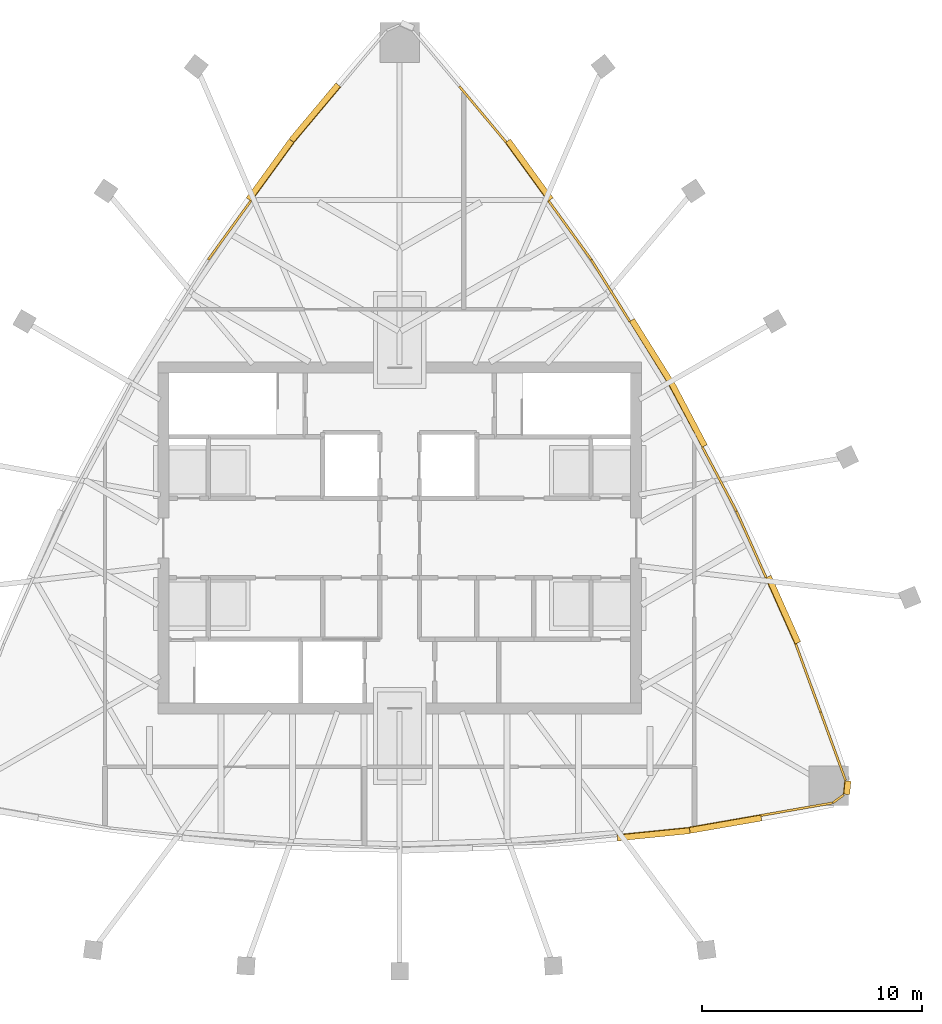
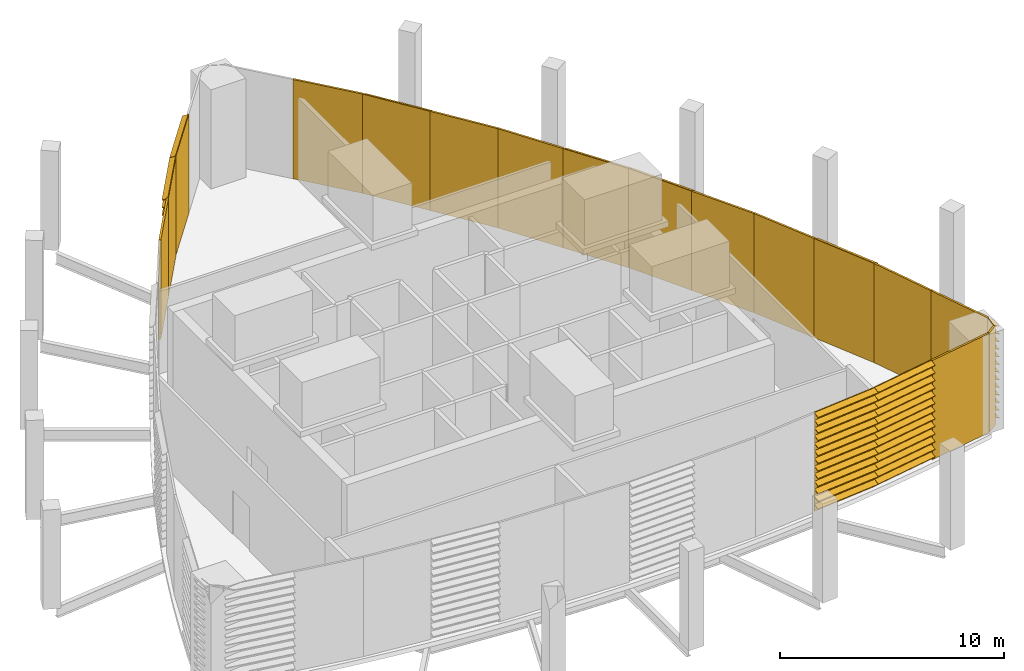
# One storey, part 6 of 8: 10 coverings, 9 shading devices.
"""IFC4 building model written with IfcOpenShell, lengths in metres."""

from ifc_helpers import new_model, si_unit, direction, frame, origin, place, context, subcontext, project, spatial, polyline, outline, extrude, material, layer, layer_set, type_object, element, save


model = new_model("IFC4")

# Units and contexts
model_context = context("Model", 3, precision=1e-05, world=origin(), true_north=direction((0.0, 1.0)))
body_context = subcontext(model_context, "Body", "Model", "MODEL_VIEW")
ifc_project = project(units=[si_unit("LENGTHUNIT", "METRE"), si_unit("AREAUNIT", "SQUARE_METRE"), si_unit("VOLUMEUNIT", "CUBIC_METRE"), si_unit("PLANEANGLEUNIT", "RADIAN"), si_unit("MASSUNIT", "GRAM", prefix="KILO")], contexts=[model_context])

# Site, building, storey
site_placement = place(None, origin())
site = spatial("IfcSite", under=ifc_project, at=site_placement, CompositionType="ELEMENT")
building_placement = place(site_placement, origin())
building = spatial("IfcBuilding", under=site, at=building_placement, Name="Sierra Prisma Convention Tower", CompositionType="ELEMENT")
storey_placement = place(building_placement, frame((0.0, 0.0, 355.60009765625)))
storey = spatial("IfcBuildingStorey", under=building, at=storey_placement, Name="L79", CompositionType="ELEMENT", Elevation=355.60009765625)

# Coverings
ifc_material_1 = material(Name="Aluminium composite bronze anodised", Category="aluminium")
ifc_layer = layer(ifc_material_1, 0.10009765625)
ifc_layer_set = layer_set([ifc_layer], Name="Bronze cladding panel")
covering_type = type_object("IfcCoveringType", Name="Bronze cladding panel", PredefinedType="CLADDING", material=ifc_layer_set)
covering_1_placement = place(storey_placement, origin())
element("IfcCovering", 1, at=covering_1_placement, inside=storey, type_object=covering_type, Name="Crown cladding L79.12", PredefinedType="CLADDING", context=body_context, shape_type="SweptSolid", body=[
    extrude(outline(polyline([(16.41650390625, -12.568603515625), (19.66845703125, -12.000244140625), (19.685546875, -12.0986328125), (16.433837890625, -12.667236328125), (16.41650390625, -12.568603515625)])), origin(), (0.0, 0.0, 1.0), 5.39990234375),
])
covering_2_placement = place(storey_placement, origin())
element("IfcCovering", 2, at=covering_2_placement, inside=storey, type_object=covering_type, Name="Crown cladding L79.13", PredefinedType="CLADDING", context=body_context, shape_type="SweptSolid", body=[
    extrude(outline(polyline([(19.66845703125, -12.000244140625), (20.163330078125, -11.641357421875), (20.221923828125, -11.72216796875), (19.72705078125, -12.0810546875), (19.66845703125, -12.000244140625)])), origin(), (0.0, 0.0, 1.0), 5.39990234375),
])
covering_3_placement = place(storey_placement, origin())
element("IfcCovering", 3, at=covering_3_placement, inside=storey, type_object=covering_type, Name="Crown cladding L79.15", PredefinedType="CLADDING", context=body_context, shape_type="SweptSolid", body=[
    extrude(outline(polyline([(20.2265625, -11.033203125), (19.093017578125, -7.932861328125), (19.18701171875, -7.8984375), (20.320556640625, -10.9990234375), (20.2265625, -11.033203125)])), origin(), (0.0, 0.0, 1.0), 5.39990234375),
])
covering_4_placement = place(storey_placement, origin())
element("IfcCovering", 4, at=covering_4_placement, inside=storey, type_object=covering_type, Name="Crown cladding L79.16", PredefinedType="CLADDING", context=body_context, shape_type="SweptSolid", body=[
    extrude(outline(polyline([(19.093017578125, -7.932861328125), (17.95947265625, -4.83251953125), (18.053466796875, -4.798095703125), (19.18701171875, -7.8984375), (19.093017578125, -7.932861328125)])), origin(), (0.0, 0.0, 1.0), 5.39990234375),
])
covering_5_placement = place(storey_placement, origin())
element("IfcCovering", 5, at=covering_5_placement, inside=storey, type_object=covering_type, Name="Crown cladding L79.18", PredefinedType="CLADDING", context=body_context, shape_type="SweptSolid", body=[
    extrude(outline(polyline([(16.6142578125, -1.818115234375), (15.268798828125, 1.196533203125), (15.360107421875, 1.2373046875), (16.70556640625, -1.77734375), (16.6142578125, -1.818115234375)])), origin(), (0.0, 0.0, 1.0), 5.39990234375),
])
covering_6_placement = place(storey_placement, origin())
element("IfcCovering", 6, at=covering_6_placement, inside=storey, type_object=covering_type, Name="Crown cladding L79.19", PredefinedType="CLADDING", context=body_context, shape_type="SweptSolid", body=[
    extrude(outline(polyline([(15.268798828125, 1.196533203125), (13.71826171875, 4.11083984375), (13.806640625, 4.15771484375), (15.357177734375, 1.243408203125), (15.268798828125, 1.196533203125)])), origin(), (0.0, 0.0, 1.0), 5.39990234375),
])
covering_7_placement = place(storey_placement, origin())
element("IfcCovering", 7, at=covering_7_placement, inside=storey, type_object=covering_type, Name="Crown cladding L79.22", PredefinedType="CLADDING", context=body_context, shape_type="SweptSolid", body=[
    extrude(outline(polyline([(10.419189453125, 9.824951171875), (8.670654296875, 12.625), (8.75537109375, 12.677978515625), (10.50390625, 9.8779296875), (10.419189453125, 9.824951171875)])), origin(), (0.0, 0.0, 1.0), 5.39990234375),
])
covering_8_placement = place(storey_placement, origin())
element("IfcCovering", 8, at=covering_8_placement, inside=storey, type_object=covering_type, Name="Crown cladding L79.23", PredefinedType="CLADDING", context=body_context, shape_type="SweptSolid", body=[
    extrude(outline(polyline([(8.670654296875, 12.625), (6.732666015625, 15.29736328125), (6.813720703125, 15.35595703125), (8.751708984375, 12.68359375), (8.670654296875, 12.625)])), origin(), (0.0, 0.0, 1.0), 5.39990234375),
])
covering_9_placement = place(storey_placement, origin())
element("IfcCovering", 9, at=covering_9_placement, inside=storey, type_object=covering_type, Name="Crown cladding L79.25", PredefinedType="CLADDING", context=body_context, shape_type="SweptSolid", body=[
    extrude(outline(polyline([(4.794677734375, 17.9697265625), (2.676513671875, 20.50146484375), (2.753173828125, 20.565673828125), (4.871337890625, 18.033935546875), (4.794677734375, 17.9697265625)])), origin(), (0.0, 0.0, 1.0), 5.39990234375),
])
covering_10_placement = place(storey_placement, origin())
element("IfcCovering", 10, at=covering_10_placement, inside=storey, type_object=covering_type, Name="Crown cladding L79.32", PredefinedType="CLADDING", context=body_context, shape_type="SweptSolid", body=[
    extrude(outline(polyline([(-6.732666015625, 15.29736328125), (-8.670654296875, 12.625), (-8.751708984375, 12.68359375), (-6.813720703125, 15.35595703125), (-6.732666015625, 15.29736328125)])), origin(), (0.0, 0.0, 1.0), 5.39990234375),
])

# Shading devices
ifc_material_2 = material(Name="Aluminium 6063-T6 bronze anodised", Category="aluminium")
shading_device_type = type_object("IfcShadingDeviceType", Name="Louvre bay bronze", PredefinedType="USERDEFINED", material=ifc_material_2)
shading_device_1_placement = place(storey_placement, frame((9.881591796875, -13.479248046875, 0.0), z_axis=(-0.99500386051, -0.09983645411, 0.0), x_axis=(0.0, 0.0, 1.0)))
element("IfcShadingDevice", 11, at=shading_device_1_placement, inside=storey, type_object=shading_device_type, Name="Crown louvre L79.10", ObjectType="LOUVRE", PredefinedType="USERDEFINED", context=body_context, shape_type="SweptSolid", body=[
    extrude(outline(polyline([(0.0, 0.0), (5.39990234375, 0.0), (5.39990234375, -0.03017175593069044), (5.3798828125, -0.03017175593069044), (5.260009765625, -0.299944811331974), (5.22998046875, -0.299944811331974), (5.349853515625, -0.03017175593069044), (4.984619140625, -0.03017175593069044), (4.964599609375, -0.03017175593069044), (4.844482421875, -0.299944811331974), (4.814453125, -0.299944811331974), (4.9345703125, -0.03017175593069044), (4.569091796875, -0.03017175593069044), (4.549072265625, -0.03017175593069044), (4.42919921875, -0.299944811331974), (4.399169921875, -0.299944811331974), (4.51904296875, -0.03017175593069044), (4.15380859375, -0.03017175593069044), (4.1337890625, -0.03017175593069044), (4.013671875, -0.299944811331974), (3.983642578125, -0.299944811331974), (4.103759765625, -0.03017175593069044), (3.73828125, -0.03017175593069044), (3.71826171875, -0.03017175593069044), (3.598388671875, -0.299944811331974), (3.568359375, -0.299944811331974), (3.6884765625, -0.03017175593069044), (3.322998046875, -0.03017175593069044), (3.302978515625, -0.03017175593069044), (3.182861328125, -0.299944811331974), (3.153076171875, -0.299944811331974), (3.27294921875, -0.03017175593069044), (2.90771484375, -0.03017175593069044), (2.8876953125, -0.03017175593069044), (2.767578125, -0.299944811331974), (2.737548828125, -0.299944811331974), (2.857666015625, -0.03017175593069044), (2.4921875, -0.03017175593069044), (2.47216796875, -0.03017175593069044), (2.352294921875, -0.299944811331974), (2.322265625, -0.299944811331974), (2.442138671875, -0.03017175593069044), (2.076904296875, -0.03017175593069044), (2.056884765625, -0.03017175593069044), (1.936767578125, -0.299944811331974), (1.90673828125, -0.299944811331974), (2.02685546875, -0.03017175593069044), (1.661376953125, -0.03017175593069044), (1.641357421875, -0.03017175593069044), (1.521484375, -0.299944811331974), (1.491455078125, -0.299944811331974), (1.611328125, -0.03017175593069044), (1.24609375, -0.03017175593069044), (1.22607421875, -0.03017175593069044), (1.10595703125, -0.299944811331974), (1.076171875, -0.299944811331974), (1.196044921875, -0.03017175593069044), (0.83056640625, -0.03017175593069044), (0.810791015625, -0.03017175593069044), (0.690673828125, -0.299944811331974), (0.66064453125, -0.299944811331974), (0.78076171875, -0.03017175593069044), (0.415283203125, -0.03017175593069044), (0.395263671875, -0.03017175593069044), (0.275390625, -0.299944811331974), (0.245361328125, -0.299944811331974), (0.365234375, -0.03017175593069044), (0.0, -0.03017175593069044), (0.0, 0.0)])), origin(), (0.0, 0.0, -1.0), 3.301025390625),
])
shading_device_2_placement = place(storey_placement, frame((13.164794921875, -13.13720703125, 0.0), z_axis=(-0.985151128495, -0.171689411514, 0.0), x_axis=(0.0, 0.0, 1.0)))
element("IfcShadingDevice", 12, at=shading_device_2_placement, inside=storey, type_object=shading_device_type, Name="Crown louvre L79.11", ObjectType="LOUVRE", PredefinedType="USERDEFINED", context=body_context, shape_type="SweptSolid", body=[
    extrude(outline(polyline([(0.0, 0.0), (5.39990234375, 0.0), (5.39990234375, -0.029982608444733373), (5.3798828125, -0.029982608444733373), (5.260009765625, -0.29990991716779936), (5.22998046875, -0.29990991716779936), (5.349853515625, -0.029982608444733373), (4.984619140625, -0.029982608444733373), (4.964599609375, -0.029982608444733373), (4.844482421875, -0.29990991716779936), (4.814453125, -0.29990991716779936), (4.9345703125, -0.029982608444733373), (4.569091796875, -0.029982608444733373), (4.549072265625, -0.029982608444733373), (4.42919921875, -0.29990991716779936), (4.399169921875, -0.29990991716779936), (4.51904296875, -0.029982608444733373), (4.15380859375, -0.029982608444733373), (4.1337890625, -0.029982608444733373), (4.013671875, -0.29990991716779936), (3.983642578125, -0.29990991716779936), (4.103759765625, -0.029982608444733373), (3.73828125, -0.029982608444733373), (3.71826171875, -0.029982608444733373), (3.598388671875, -0.29990991716779936), (3.568359375, -0.29990991716779936), (3.6884765625, -0.029982608444733373), (3.322998046875, -0.029982608444733373), (3.302978515625, -0.029982608444733373), (3.182861328125, -0.29990991716779936), (3.153076171875, -0.29990991716779936), (3.27294921875, -0.029982608444733373), (2.90771484375, -0.029982608444733373), (2.8876953125, -0.029982608444733373), (2.767578125, -0.29990991716779936), (2.737548828125, -0.29990991716779936), (2.857666015625, -0.029982608444733373), (2.4921875, -0.029982608444733373), (2.47216796875, -0.029982608444733373), (2.352294921875, -0.29990991716779936), (2.322265625, -0.29990991716779936), (2.442138671875, -0.029982608444733373), (2.076904296875, -0.029982608444733373), (2.056884765625, -0.029982608444733373), (1.936767578125, -0.29990991716779936), (1.90673828125, -0.29990991716779936), (2.02685546875, -0.029982608444733373), (1.661376953125, -0.029982608444733373), (1.641357421875, -0.029982608444733373), (1.521484375, -0.29990991716779936), (1.491455078125, -0.29990991716779936), (1.611328125, -0.029982608444733373), (1.24609375, -0.029982608444733373), (1.22607421875, -0.029982608444733373), (1.10595703125, -0.29990991716779936), (1.076171875, -0.29990991716779936), (1.196044921875, -0.029982608444733373), (0.83056640625, -0.029982608444733373), (0.810791015625, -0.029982608444733373), (0.690673828125, -0.29990991716779936), (0.66064453125, -0.29990991716779936), (0.78076171875, -0.029982608444733373), (0.415283203125, -0.029982608444733373), (0.395263671875, -0.029982608444733373), (0.275390625, -0.29990991716779936), (0.245361328125, -0.29990991716779936), (0.365234375, -0.029982608444733373), (0.0, -0.029982608444733373), (0.0, 0.0)])), origin(), (0.0, 0.0, -1.0), 3.301025390625),
])
shading_device_3_placement = place(storey_placement, frame((20.163330078125, -11.641357421875, 0.0), z_axis=(-0.100291637064, -0.994958083306, 0.0), x_axis=(0.0, 0.0, 1.0)))
element("IfcShadingDevice", 13, at=shading_device_3_placement, inside=storey, type_object=shading_device_type, Name="Crown louvre L79.14", ObjectType="LOUVRE", PredefinedType="USERDEFINED", context=body_context, shape_type="SweptSolid", body=[
    extrude(outline(polyline([(0.0, 0.0), (5.39990234375, 0.0), (5.39990234375, -0.029928805128916797), (5.3798828125, -0.029928805128916797), (5.260009765625, -0.29994526750646766), (5.22998046875, -0.29994526750646766), (5.349853515625, -0.029928805128916797), (4.984619140625, -0.029928805128916797), (4.964599609375, -0.029928805128916797), (4.844482421875, -0.29994526750646766), (4.814453125, -0.29994526750646766), (4.9345703125, -0.029928805128916797), (4.569091796875, -0.029928805128916797), (4.549072265625, -0.029928805128916797), (4.42919921875, -0.29994526750646766), (4.399169921875, -0.29994526750646766), (4.51904296875, -0.029928805128916797), (4.15380859375, -0.029928805128916797), (4.1337890625, -0.029928805128916797), (4.013671875, -0.29994526750646766), (3.983642578125, -0.29994526750646766), (4.103759765625, -0.029928805128916797), (3.73828125, -0.029928805128916797), (3.71826171875, -0.029928805128916797), (3.598388671875, -0.29994526750646766), (3.568359375, -0.29994526750646766), (3.6884765625, -0.029928805128916797), (3.322998046875, -0.029928805128916797), (3.302978515625, -0.029928805128916797), (3.182861328125, -0.29994526750646766), (3.153076171875, -0.29994526750646766), (3.27294921875, -0.029928805128916797), (2.90771484375, -0.029928805128916797), (2.8876953125, -0.029928805128916797), (2.767578125, -0.29994526750646766), (2.737548828125, -0.29994526750646766), (2.857666015625, -0.029928805128916797), (2.4921875, -0.029928805128916797), (2.47216796875, -0.029928805128916797), (2.352294921875, -0.29994526750646766), (2.322265625, -0.29994526750646766), (2.442138671875, -0.029928805128916797), (2.076904296875, -0.029928805128916797), (2.056884765625, -0.029928805128916797), (1.936767578125, -0.29994526750646766), (1.90673828125, -0.29994526750646766), (2.02685546875, -0.029928805128916797), (1.661376953125, -0.029928805128916797), (1.641357421875, -0.029928805128916797), (1.521484375, -0.29994526750646766), (1.491455078125, -0.29994526750646766), (1.611328125, -0.029928805128916797), (1.24609375, -0.029928805128916797), (1.22607421875, -0.029928805128916797), (1.10595703125, -0.29994526750646766), (1.076171875, -0.29994526750646766), (1.196044921875, -0.029928805128916797), (0.83056640625, -0.029928805128916797), (0.810791015625, -0.029928805128916797), (0.690673828125, -0.29994526750646766), (0.66064453125, -0.29994526750646766), (0.78076171875, -0.029928805128916797), (0.415283203125, -0.029928805128916797), (0.395263671875, -0.029928805128916797), (0.275390625, -0.29994526750646766), (0.245361328125, -0.29994526750646766), (0.365234375, -0.029928805128916797), (0.0, -0.029928805128916797), (0.0, 0.0)])), origin(), (0.0, 0.0, -1.0), 0.611328125),
])
shading_device_4_placement = place(storey_placement, frame((17.95947265625, -4.83251953125, 0.0), z_axis=(0.407682697482, -0.913123659848, 0.0), x_axis=(0.0, 0.0, 1.0)))
element("IfcShadingDevice", 14, at=shading_device_4_placement, inside=storey, type_object=shading_device_type, Name="Crown louvre L79.17", ObjectType="LOUVRE", PredefinedType="USERDEFINED", context=body_context, shape_type="SweptSolid", body=[
    extrude(outline(polyline([(0.0, 0.0), (5.39990234375, 0.0), (5.39990234375, -0.029944820502209746), (5.3798828125, -0.029944820502209746), (5.260009765625, -0.29999359809269743), (5.22998046875, -0.29999359809269743), (5.349853515625, -0.029944820502209746), (4.984619140625, -0.029944820502209746), (4.964599609375, -0.029944820502209746), (4.844482421875, -0.29999359809269743), (4.814453125, -0.29999359809269743), (4.9345703125, -0.029944820502209746), (4.569091796875, -0.029944820502209746), (4.549072265625, -0.029944820502209746), (4.42919921875, -0.29999359809269743), (4.399169921875, -0.29999359809269743), (4.51904296875, -0.029944820502209746), (4.15380859375, -0.029944820502209746), (4.1337890625, -0.029944820502209746), (4.013671875, -0.29999359809269743), (3.983642578125, -0.29999359809269743), (4.103759765625, -0.029944820502209746), (3.73828125, -0.029944820502209746), (3.71826171875, -0.029944820502209746), (3.598388671875, -0.29999359809269743), (3.568359375, -0.29999359809269743), (3.6884765625, -0.029944820502209746), (3.322998046875, -0.029944820502209746), (3.302978515625, -0.029944820502209746), (3.182861328125, -0.29999359809269743), (3.153076171875, -0.29999359809269743), (3.27294921875, -0.029944820502209746), (2.90771484375, -0.029944820502209746), (2.8876953125, -0.029944820502209746), (2.767578125, -0.29999359809269743), (2.737548828125, -0.29999359809269743), (2.857666015625, -0.029944820502209746), (2.4921875, -0.029944820502209746), (2.47216796875, -0.029944820502209746), (2.352294921875, -0.29999359809269743), (2.322265625, -0.29999359809269743), (2.442138671875, -0.029944820502209746), (2.076904296875, -0.029944820502209746), (2.056884765625, -0.029944820502209746), (1.936767578125, -0.29999359809269743), (1.90673828125, -0.29999359809269743), (2.02685546875, -0.029944820502209746), (1.661376953125, -0.029944820502209746), (1.641357421875, -0.029944820502209746), (1.521484375, -0.29999359809269743), (1.491455078125, -0.29999359809269743), (1.611328125, -0.029944820502209746), (1.24609375, -0.029944820502209746), (1.22607421875, -0.029944820502209746), (1.10595703125, -0.29999359809269743), (1.076171875, -0.29999359809269743), (1.196044921875, -0.029944820502209746), (0.83056640625, -0.029944820502209746), (0.810791015625, -0.029944820502209746), (0.690673828125, -0.29999359809269743), (0.66064453125, -0.29999359809269743), (0.78076171875, -0.029944820502209746), (0.415283203125, -0.029944820502209746), (0.395263671875, -0.029944820502209746), (0.275390625, -0.29999359809269743), (0.245361328125, -0.29999359809269743), (0.365234375, -0.029944820502209746), (0.0, -0.029944820502209746), (0.0, 0.0)])), origin(), (0.0, 0.0, -1.0), 3.301025390625),
])
shading_device_5_placement = place(storey_placement, frame((13.71826171875, 4.11083984375, 0.0), z_axis=(0.46608508346, -0.884739902444, 0.0), x_axis=(0.0, 0.0, 1.0)))
element("IfcShadingDevice", 15, at=shading_device_5_placement, inside=storey, type_object=shading_device_type, Name="Crown louvre L79.20", ObjectType="LOUVRE", PredefinedType="USERDEFINED", context=body_context, shape_type="SweptSolid", body=[
    extrude(outline(polyline([(0.0, 0.0), (5.39990234375, 0.0), (5.39990234375, -0.03003015115321853), (5.3798828125, -0.03003015115321853), (5.260009765625, -0.30001803889351386), (5.22998046875, -0.30001803889351386), (5.349853515625, -0.03003015115321853), (4.984619140625, -0.03003015115321853), (4.964599609375, -0.03003015115321853), (4.844482421875, -0.30001803889351386), (4.814453125, -0.30001803889351386), (4.9345703125, -0.03003015115321853), (4.569091796875, -0.03003015115321853), (4.549072265625, -0.03003015115321853), (4.42919921875, -0.30001803889351386), (4.399169921875, -0.30001803889351386), (4.51904296875, -0.03003015115321853), (4.15380859375, -0.03003015115321853), (4.1337890625, -0.03003015115321853), (4.013671875, -0.30001803889351386), (3.983642578125, -0.30001803889351386), (4.103759765625, -0.03003015115321853), (3.73828125, -0.03003015115321853), (3.71826171875, -0.03003015115321853), (3.598388671875, -0.30001803889351386), (3.568359375, -0.30001803889351386), (3.6884765625, -0.03003015115321853), (3.322998046875, -0.03003015115321853), (3.302978515625, -0.03003015115321853), (3.182861328125, -0.30001803889351386), (3.153076171875, -0.30001803889351386), (3.27294921875, -0.03003015115321853), (2.90771484375, -0.03003015115321853), (2.8876953125, -0.03003015115321853), (2.767578125, -0.30001803889351386), (2.737548828125, -0.30001803889351386), (2.857666015625, -0.03003015115321853), (2.4921875, -0.03003015115321853), (2.47216796875, -0.03003015115321853), (2.352294921875, -0.30001803889351386), (2.322265625, -0.30001803889351386), (2.442138671875, -0.03003015115321853), (2.076904296875, -0.03003015115321853), (2.056884765625, -0.03003015115321853), (1.936767578125, -0.30001803889351386), (1.90673828125, -0.30001803889351386), (2.02685546875, -0.03003015115321853), (1.661376953125, -0.03003015115321853), (1.641357421875, -0.03003015115321853), (1.521484375, -0.30001803889351386), (1.491455078125, -0.30001803889351386), (1.611328125, -0.03003015115321853), (1.24609375, -0.03003015115321853), (1.22607421875, -0.03003015115321853), (1.10595703125, -0.30001803889351386), (1.076171875, -0.30001803889351386), (1.196044921875, -0.03003015115321853), (0.83056640625, -0.03003015115321853), (0.810791015625, -0.03003015115321853), (0.690673828125, -0.30001803889351386), (0.66064453125, -0.30001803889351386), (0.78076171875, -0.03003015115321853), (0.415283203125, -0.03003015115321853), (0.395263671875, -0.03003015115321853), (0.275390625, -0.30001803889351386), (0.245361328125, -0.30001803889351386), (0.365234375, -0.03003015115321853), (0.0, -0.03003015115321853), (0.0, 0.0)])), origin(), (0.0, 0.0, -1.0), 3.301025390625),
])
shading_device_6_placement = place(storey_placement, frame((12.167724609375, 7.02490234375, 0.0), z_axis=(0.529934825169, -0.848038372406, 0.0), x_axis=(0.0, 0.0, 1.0)))
element("IfcShadingDevice", 16, at=shading_device_6_placement, inside=storey, type_object=shading_device_type, Name="Crown louvre L79.21", ObjectType="LOUVRE", PredefinedType="USERDEFINED", context=body_context, shape_type="SweptSolid", body=[
    extrude(outline(polyline([(0.0, 0.0), (5.39990234375, 0.0), (5.39990234375, -0.029941834562064), (5.3798828125, -0.029941834562064), (5.260009765625, -0.29996180547659246), (5.22998046875, -0.29996180547659246), (5.349853515625, -0.029941834562064), (4.984619140625, -0.029941834562064), (4.964599609375, -0.029941834562064), (4.844482421875, -0.29996180547659246), (4.814453125, -0.29996180547659246), (4.9345703125, -0.029941834562064), (4.569091796875, -0.029941834562064), (4.549072265625, -0.029941834562064), (4.42919921875, -0.29996180547659246), (4.399169921875, -0.29996180547659246), (4.51904296875, -0.029941834562064), (4.15380859375, -0.029941834562064), (4.1337890625, -0.029941834562064), (4.013671875, -0.29996180547659246), (3.983642578125, -0.29996180547659246), (4.103759765625, -0.029941834562064), (3.73828125, -0.029941834562064), (3.71826171875, -0.029941834562064), (3.598388671875, -0.29996180547659246), (3.568359375, -0.29996180547659246), (3.6884765625, -0.029941834562064), (3.322998046875, -0.029941834562064), (3.302978515625, -0.029941834562064), (3.182861328125, -0.29996180547659246), (3.153076171875, -0.29996180547659246), (3.27294921875, -0.029941834562064), (2.90771484375, -0.029941834562064), (2.8876953125, -0.029941834562064), (2.767578125, -0.29996180547659246), (2.737548828125, -0.29996180547659246), (2.857666015625, -0.029941834562064), (2.4921875, -0.029941834562064), (2.47216796875, -0.029941834562064), (2.352294921875, -0.29996180547659246), (2.322265625, -0.29996180547659246), (2.442138671875, -0.029941834562064), (2.076904296875, -0.029941834562064), (2.056884765625, -0.029941834562064), (1.936767578125, -0.29996180547659246), (1.90673828125, -0.29996180547659246), (2.02685546875, -0.029941834562064), (1.661376953125, -0.029941834562064), (1.641357421875, -0.029941834562064), (1.521484375, -0.29996180547659246), (1.491455078125, -0.29996180547659246), (1.611328125, -0.029941834562064), (1.24609375, -0.029941834562064), (1.22607421875, -0.029941834562064), (1.10595703125, -0.29996180547659246), (1.076171875, -0.29996180547659246), (1.196044921875, -0.029941834562064), (0.83056640625, -0.029941834562064), (0.810791015625, -0.029941834562064), (0.690673828125, -0.29996180547659246), (0.66064453125, -0.29996180547659246), (0.78076171875, -0.029941834562064), (0.415283203125, -0.029941834562064), (0.395263671875, -0.029941834562064), (0.275390625, -0.29996180547659246), (0.245361328125, -0.29996180547659246), (0.365234375, -0.029941834562064), (0.0, -0.029941834562064), (0.0, 0.0)])), origin(), (0.0, 0.0, -1.0), 3.301025390625),
])
shading_device_7_placement = place(storey_placement, frame((6.732666015625, 15.29736328125, 0.0), z_axis=(0.587555963183, -0.809183533031, 0.0), x_axis=(0.0, 0.0, 1.0)))
element("IfcShadingDevice", 17, at=shading_device_7_placement, inside=storey, type_object=shading_device_type, Name="Crown louvre L79.24", ObjectType="LOUVRE", PredefinedType="USERDEFINED", context=body_context, shape_type="SweptSolid", body=[
    extrude(outline(polyline([(0.0, 0.0), (5.39990234375, 0.0), (5.39990234375, -0.029886034941215424), (5.3798828125, -0.029886034941215424), (5.260009765625, -0.29999156855969766), (5.22998046875, -0.29999156855969766), (5.349853515625, -0.029886034941215424), (4.984619140625, -0.029886034941215424), (4.964599609375, -0.029886034941215424), (4.844482421875, -0.29999156855969766), (4.814453125, -0.29999156855969766), (4.9345703125, -0.029886034941215424), (4.569091796875, -0.029886034941215424), (4.549072265625, -0.029886034941215424), (4.42919921875, -0.29999156855969766), (4.399169921875, -0.29999156855969766), (4.51904296875, -0.029886034941215424), (4.15380859375, -0.029886034941215424), (4.1337890625, -0.029886034941215424), (4.013671875, -0.29999156855969766), (3.983642578125, -0.29999156855969766), (4.103759765625, -0.029886034941215424), (3.73828125, -0.029886034941215424), (3.71826171875, -0.029886034941215424), (3.598388671875, -0.29999156855969766), (3.568359375, -0.29999156855969766), (3.6884765625, -0.029886034941215424), (3.322998046875, -0.029886034941215424), (3.302978515625, -0.029886034941215424), (3.182861328125, -0.29999156855969766), (3.153076171875, -0.29999156855969766), (3.27294921875, -0.029886034941215424), (2.90771484375, -0.029886034941215424), (2.8876953125, -0.029886034941215424), (2.767578125, -0.29999156855969766), (2.737548828125, -0.29999156855969766), (2.857666015625, -0.029886034941215424), (2.4921875, -0.029886034941215424), (2.47216796875, -0.029886034941215424), (2.352294921875, -0.29999156855969766), (2.322265625, -0.29999156855969766), (2.442138671875, -0.029886034941215424), (2.076904296875, -0.029886034941215424), (2.056884765625, -0.029886034941215424), (1.936767578125, -0.29999156855969766), (1.90673828125, -0.29999156855969766), (2.02685546875, -0.029886034941215424), (1.661376953125, -0.029886034941215424), (1.641357421875, -0.029886034941215424), (1.521484375, -0.29999156855969766), (1.491455078125, -0.29999156855969766), (1.611328125, -0.029886034941215424), (1.24609375, -0.029886034941215424), (1.22607421875, -0.029886034941215424), (1.10595703125, -0.29999156855969766), (1.076171875, -0.29999156855969766), (1.196044921875, -0.029886034941215424), (0.83056640625, -0.029886034941215424), (0.810791015625, -0.029886034941215424), (0.690673828125, -0.29999156855969766), (0.66064453125, -0.29999156855969766), (0.78076171875, -0.029886034941215424), (0.415283203125, -0.029886034941215424), (0.395263671875, -0.029886034941215424), (0.275390625, -0.29999156855969766), (0.245361328125, -0.29999156855969766), (0.365234375, -0.029886034941215424), (0.0, -0.029886034941215424), (0.0, 0.0)])), origin(), (0.0, 0.0, -1.0), 3.301025390625),
])
shading_device_8_placement = place(storey_placement, frame((-2.676513671875, 20.50146484375, 0.0), z_axis=(0.642822978494, 0.766014763774, 0.0), x_axis=(0.0, 0.0, 1.0)))
element("IfcShadingDevice", 18, at=shading_device_8_placement, inside=storey, type_object=shading_device_type, Name="Crown louvre L79.30", ObjectType="LOUVRE", PredefinedType="USERDEFINED", context=body_context, shape_type="SweptSolid", body=[
    extrude(outline(polyline([(0.0, 0.0), (5.39990234375, 0.0), (5.39990234375, -0.029977637474561628), (5.3798828125, -0.029977637474561628), (5.260009765625, -0.2999934661882565), (5.22998046875, -0.2999934661882565), (5.349853515625, -0.029977637474561628), (4.984619140625, -0.029977637474561628), (4.964599609375, -0.029977637474561628), (4.844482421875, -0.2999934661882565), (4.814453125, -0.2999934661882565), (4.9345703125, -0.029977637474561628), (4.569091796875, -0.029977637474561628), (4.549072265625, -0.029977637474561628), (4.42919921875, -0.2999934661882565), (4.399169921875, -0.2999934661882565), (4.51904296875, -0.029977637474561628), (4.15380859375, -0.029977637474561628), (4.1337890625, -0.029977637474561628), (4.013671875, -0.2999934661882565), (3.983642578125, -0.2999934661882565), (4.103759765625, -0.029977637474561628), (3.73828125, -0.029977637474561628), (3.71826171875, -0.029977637474561628), (3.598388671875, -0.2999934661882565), (3.568359375, -0.2999934661882565), (3.6884765625, -0.029977637474561628), (3.322998046875, -0.029977637474561628), (3.302978515625, -0.029977637474561628), (3.182861328125, -0.2999934661882565), (3.153076171875, -0.2999934661882565), (3.27294921875, -0.029977637474561628), (2.90771484375, -0.029977637474561628), (2.8876953125, -0.029977637474561628), (2.767578125, -0.2999934661882565), (2.737548828125, -0.2999934661882565), (2.857666015625, -0.029977637474561628), (2.4921875, -0.029977637474561628), (2.47216796875, -0.029977637474561628), (2.352294921875, -0.2999934661882565), (2.322265625, -0.2999934661882565), (2.442138671875, -0.029977637474561628), (2.076904296875, -0.029977637474561628), (2.056884765625, -0.029977637474561628), (1.936767578125, -0.2999934661882565), (1.90673828125, -0.2999934661882565), (2.02685546875, -0.029977637474561628), (1.661376953125, -0.029977637474561628), (1.641357421875, -0.029977637474561628), (1.521484375, -0.2999934661882565), (1.491455078125, -0.2999934661882565), (1.611328125, -0.029977637474561628), (1.24609375, -0.029977637474561628), (1.22607421875, -0.029977637474561628), (1.10595703125, -0.2999934661882565), (1.076171875, -0.2999934661882565), (1.196044921875, -0.029977637474561628), (0.83056640625, -0.029977637474561628), (0.810791015625, -0.029977637474561628), (0.690673828125, -0.2999934661882565), (0.66064453125, -0.2999934661882565), (0.78076171875, -0.029977637474561628), (0.415283203125, -0.029977637474561628), (0.395263671875, -0.029977637474561628), (0.275390625, -0.2999934661882565), (0.245361328125, -0.2999934661882565), (0.365234375, -0.029977637474561628), (0.0, -0.029977637474561628), (0.0, 0.0)])), origin(), (0.0, 0.0, -1.0), 3.301025390625),
])
shading_device_9_placement = place(storey_placement, frame((-4.794677734375, 17.9697265625, 0.0), z_axis=(0.587555963183, 0.809183533031, 0.0), x_axis=(0.0, 0.0, 1.0)))
element("IfcShadingDevice", 19, at=shading_device_9_placement, inside=storey, type_object=shading_device_type, Name="Crown louvre L79.31", ObjectType="LOUVRE", PredefinedType="USERDEFINED", context=body_context, shape_type="SweptSolid", body=[
    extrude(outline(polyline([(0.0, 0.0), (5.39990234375, 0.0), (5.39990234375, -0.029886034941215424), (5.3798828125, -0.029886034941215424), (5.260009765625, -0.29999156855969766), (5.22998046875, -0.29999156855969766), (5.349853515625, -0.029886034941215424), (4.984619140625, -0.029886034941215424), (4.964599609375, -0.029886034941215424), (4.844482421875, -0.29999156855969766), (4.814453125, -0.29999156855969766), (4.9345703125, -0.029886034941215424), (4.569091796875, -0.029886034941215424), (4.549072265625, -0.029886034941215424), (4.42919921875, -0.29999156855969766), (4.399169921875, -0.29999156855969766), (4.51904296875, -0.029886034941215424), (4.15380859375, -0.029886034941215424), (4.1337890625, -0.029886034941215424), (4.013671875, -0.29999156855969766), (3.983642578125, -0.29999156855969766), (4.103759765625, -0.029886034941215424), (3.73828125, -0.029886034941215424), (3.71826171875, -0.029886034941215424), (3.598388671875, -0.29999156855969766), (3.568359375, -0.29999156855969766), (3.6884765625, -0.029886034941215424), (3.322998046875, -0.029886034941215424), (3.302978515625, -0.029886034941215424), (3.182861328125, -0.29999156855969766), (3.153076171875, -0.29999156855969766), (3.27294921875, -0.029886034941215424), (2.90771484375, -0.029886034941215424), (2.8876953125, -0.029886034941215424), (2.767578125, -0.29999156855969766), (2.737548828125, -0.29999156855969766), (2.857666015625, -0.029886034941215424), (2.4921875, -0.029886034941215424), (2.47216796875, -0.029886034941215424), (2.352294921875, -0.29999156855969766), (2.322265625, -0.29999156855969766), (2.442138671875, -0.029886034941215424), (2.076904296875, -0.029886034941215424), (2.056884765625, -0.029886034941215424), (1.936767578125, -0.29999156855969766), (1.90673828125, -0.29999156855969766), (2.02685546875, -0.029886034941215424), (1.661376953125, -0.029886034941215424), (1.641357421875, -0.029886034941215424), (1.521484375, -0.29999156855969766), (1.491455078125, -0.29999156855969766), (1.611328125, -0.029886034941215424), (1.24609375, -0.029886034941215424), (1.22607421875, -0.029886034941215424), (1.10595703125, -0.29999156855969766), (1.076171875, -0.29999156855969766), (1.196044921875, -0.029886034941215424), (0.83056640625, -0.029886034941215424), (0.810791015625, -0.029886034941215424), (0.690673828125, -0.29999156855969766), (0.66064453125, -0.29999156855969766), (0.78076171875, -0.029886034941215424), (0.415283203125, -0.029886034941215424), (0.395263671875, -0.029886034941215424), (0.275390625, -0.29999156855969766), (0.245361328125, -0.29999156855969766), (0.365234375, -0.029886034941215424), (0.0, -0.029886034941215424), (0.0, 0.0)])), origin(), (0.0, 0.0, -1.0), 3.301025390625),
])

save(model, "model.ifc")
